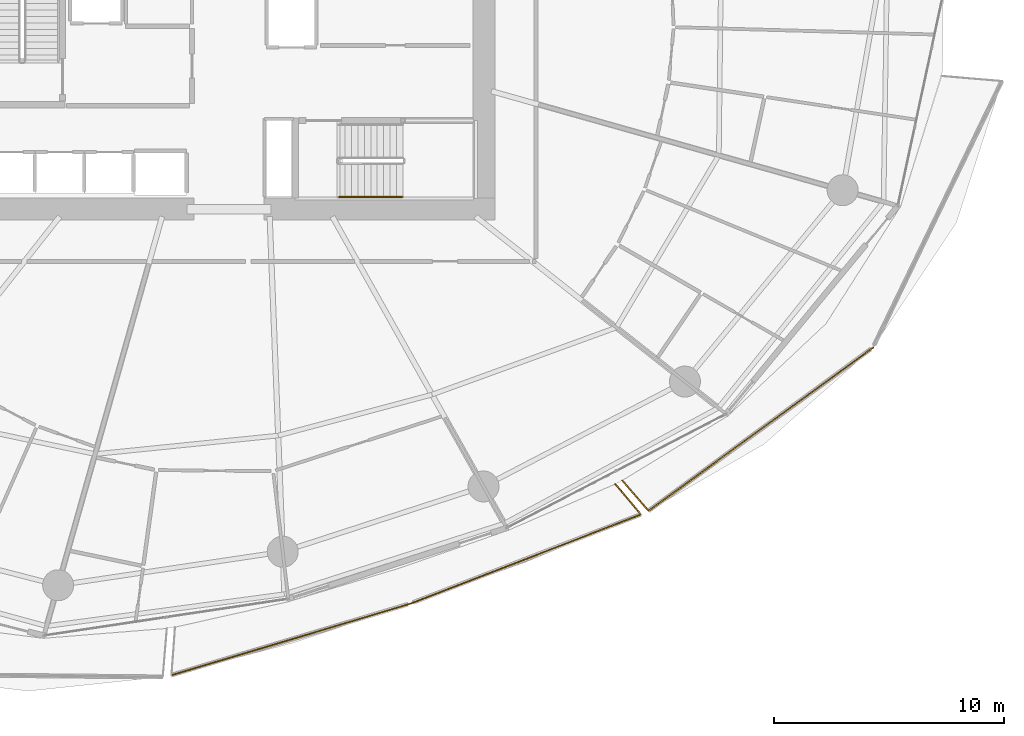
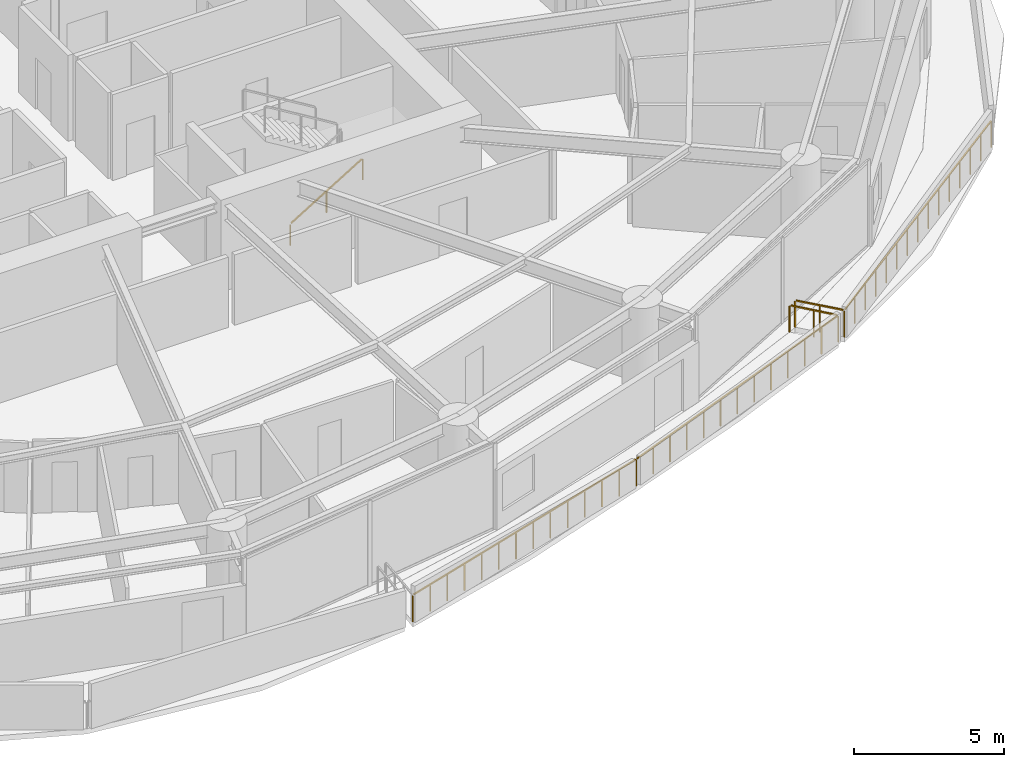
# One storey, part 26 of 30: 6 railings.
"""IFC4 building model written with IfcOpenShell, lengths in metres."""

from ifc_helpers import new_model, si_unit, direction, frame, origin, origin_2d, place, context, subcontext, project, spatial, rectangle, extrude, material, type_object, element, save


model = new_model("IFC4")

# Units and contexts
model_context = context("Model", 3, precision=1e-05, world=origin(), true_north=direction((0.0, 1.0)))
body_context = subcontext(model_context, "Body", "Model", "MODEL_VIEW")
ifc_project = project(units=[si_unit("LENGTHUNIT", "METRE"), si_unit("AREAUNIT", "SQUARE_METRE"), si_unit("VOLUMEUNIT", "CUBIC_METRE"), si_unit("PLANEANGLEUNIT", "RADIAN"), si_unit("MASSUNIT", "GRAM", prefix="KILO")], contexts=[model_context])

# Site, building, storey
site_placement = place(None, origin())
site = spatial("IfcSite", under=ifc_project, at=site_placement, CompositionType="ELEMENT")
building_placement = place(site_placement, origin())
building = spatial("IfcBuilding", under=site, at=building_placement, Name="Kazma Halo Residences", CompositionType="ELEMENT")
storey_placement = place(building_placement, frame((0.0, 0.0, 56.39990234375)))
storey = spatial("IfcBuildingStorey", under=building, at=storey_placement, Name="L13", CompositionType="ELEMENT", Elevation=56.39990234375)

# Railings
ifc_material_1 = material(Name="Aluminium AW-6063 T6 Brushed Cap Rail", Category="aluminium")
railing_type_1 = type_object("IfcRailingType", Name="RLG-BAL-CAP-1120", PredefinedType="BALUSTRADE", material=ifc_material_1)
railing_1_placement = place(storey_placement, frame((45.91259765625, 13.2294921875, 0.0)))
element("IfcRailing", 1, at=railing_1_placement, inside=storey, type_object=railing_type_1, Name="L13 SSE wave balcony guard 2", PredefinedType="BALUSTRADE", context=body_context, shape_type="SweptSolid", body=[
    extrude(rectangle(XDim=0.050048828125, YDim=0.050048828125, at=origin_2d()), frame((0.040771484375, 0.01220703125, 1.09521484375), z_axis=(0.957967000028, 0.286878418249, 0.0), x_axis=(-0.286878418249, 0.957967000028, 0.0)), (0.0, 0.0, 1.0), 10.79345703125),
    extrude(rectangle(XDim=0.0400390625, YDim=0.0400390625, at=origin_2d()), origin(), (0.0, 0.0, 1.0), 1.05810546875),
    extrude(rectangle(XDim=0.0400390625, YDim=0.0400390625, at=origin_2d()), frame((0.8017578125, 0.239990234375, 0.0)), (0.0, 0.0, 1.0), 1.05810546875),
    extrude(rectangle(XDim=0.0400390625, YDim=0.0400390625, at=origin_2d()), frame((1.603271484375, 0.480224609375, 0.0)), (0.0, 0.0, 1.0), 1.05810546875),
    extrude(rectangle(XDim=0.0400390625, YDim=0.0400390625, at=origin_2d()), frame((2.405029296875, 0.72021484375, 0.0)), (0.0, 0.0, 1.0), 1.05810546875),
    extrude(rectangle(XDim=0.0400390625, YDim=0.0400390625, at=origin_2d()), frame((3.20654296875, 0.960205078125, 0.0)), (0.0, 0.0, 1.0), 1.05810546875),
    extrude(rectangle(XDim=0.0400390625, YDim=0.0400390625, at=origin_2d()), frame((4.00830078125, 1.200439453125, 0.0)), (0.0, 0.0, 1.0), 1.05810546875),
    extrude(rectangle(XDim=0.0400390625, YDim=0.0400390625, at=origin_2d()), frame((4.809814453125, 1.4404296875, 0.0)), (0.0, 0.0, 1.0), 1.05810546875),
    extrude(rectangle(XDim=0.0400390625, YDim=0.0400390625, at=origin_2d()), frame((5.611572265625, 1.680419921875, 0.0)), (0.0, 0.0, 1.0), 1.05810546875),
    extrude(rectangle(XDim=0.0400390625, YDim=0.0400390625, at=origin_2d()), frame((6.4130859375, 1.92041015625, 0.0)), (0.0, 0.0, 1.0), 1.05810546875),
    extrude(rectangle(XDim=0.0400390625, YDim=0.0400390625, at=origin_2d()), frame((7.21484375, 2.16064453125, 0.0)), (0.0, 0.0, 1.0), 1.05810546875),
    extrude(rectangle(XDim=0.0400390625, YDim=0.0400390625, at=origin_2d()), frame((8.016357421875, 2.400634765625, 0.0)), (0.0, 0.0, 1.0), 1.05810546875),
    extrude(rectangle(XDim=0.0400390625, YDim=0.0400390625, at=origin_2d()), frame((8.818115234375, 2.640625, 0.0)), (0.0, 0.0, 1.0), 1.05810546875),
    extrude(rectangle(XDim=0.0400390625, YDim=0.0400390625, at=origin_2d()), frame((9.61962890625, 2.880859375, 0.0)), (0.0, 0.0, 1.0), 1.05810546875),
    extrude(rectangle(XDim=0.0400390625, YDim=0.0400390625, at=origin_2d()), frame((10.42138671875, 3.120849609375, 0.0)), (0.0, 0.0, 1.0), 1.05810546875),
])
railing_2_placement = place(storey_placement, frame((56.333984375, 16.350341796875, 0.0)))
element("IfcRailing", 2, at=railing_2_placement, inside=storey, type_object=railing_type_1, Name="L13 SSE wave balcony guard 3", PredefinedType="BALUSTRADE", context=body_context, shape_type="SweptSolid", body=[
    extrude(rectangle(XDim=0.050048828125, YDim=0.050048828125, at=origin_2d()), frame((0.039794921875, 0.015380859375, 1.09521484375), z_axis=(0.932666427368, 0.360739982897, 0.0), x_axis=(-0.360739982897, 0.932666427368, 0.0)), (0.0, 0.0, 1.0), 10.669677734375),
    extrude(rectangle(XDim=0.0400390625, YDim=0.0400390625, at=origin_2d()), origin(), (0.0, 0.0, 1.0), 1.05810546875),
    extrude(rectangle(XDim=0.0400390625, YDim=0.0400390625, at=origin_2d()), frame((0.8359375, 0.3232421875, 0.0)), (0.0, 0.0, 1.0), 1.05810546875),
    extrude(rectangle(XDim=0.0400390625, YDim=0.0400390625, at=origin_2d()), frame((1.671875, 0.646484375, 0.0)), (0.0, 0.0, 1.0), 1.05810546875),
    extrude(rectangle(XDim=0.0400390625, YDim=0.0400390625, at=origin_2d()), frame((2.507568359375, 0.969970703125, 0.0)), (0.0, 0.0, 1.0), 1.05810546875),
    extrude(rectangle(XDim=0.0400390625, YDim=0.0400390625, at=origin_2d()), frame((3.343505859375, 1.293212890625, 0.0)), (0.0, 0.0, 1.0), 1.05810546875),
    extrude(rectangle(XDim=0.0400390625, YDim=0.0400390625, at=origin_2d()), frame((4.179443359375, 1.616455078125, 0.0)), (0.0, 0.0, 1.0), 1.05810546875),
    extrude(rectangle(XDim=0.0400390625, YDim=0.0400390625, at=origin_2d()), frame((5.01513671875, 1.93994140625, 0.0)), (0.0, 0.0, 1.0), 1.05810546875),
    extrude(rectangle(XDim=0.0400390625, YDim=0.0400390625, at=origin_2d()), frame((5.85107421875, 2.26318359375, 0.0)), (0.0, 0.0, 1.0), 1.05810546875),
    extrude(rectangle(XDim=0.0400390625, YDim=0.0400390625, at=origin_2d()), frame((6.68701171875, 2.58642578125, 0.0)), (0.0, 0.0, 1.0), 1.05810546875),
    extrude(rectangle(XDim=0.0400390625, YDim=0.0400390625, at=origin_2d()), frame((7.52294921875, 2.90966796875, 0.0)), (0.0, 0.0, 1.0), 1.05810546875),
    extrude(rectangle(XDim=0.0400390625, YDim=0.0400390625, at=origin_2d()), frame((8.35888671875, 3.23291015625, 0.0)), (0.0, 0.0, 1.0), 1.05810546875),
    extrude(rectangle(XDim=0.0400390625, YDim=0.0400390625, at=origin_2d()), frame((9.194580078125, 3.556396484375, 0.0)), (0.0, 0.0, 1.0), 1.05810546875),
    extrude(rectangle(XDim=0.0400390625, YDim=0.0400390625, at=origin_2d()), frame((10.030517578125, 3.879638671875, 0.0)), (0.0, 0.0, 1.0), 1.05810546875),
])
railing_3_placement = place(storey_placement, frame((66.364501953125, 20.22998046875, 0.0)))
element("IfcRailing", 3, at=railing_3_placement, inside=storey, type_object=railing_type_1, Name="L13 SSE wave balcony guard 4", PredefinedType="BALUSTRADE", context=body_context, shape_type="SweptSolid", body=[
    extrude(rectangle(XDim=0.050048828125, YDim=0.050048828125, at=origin_2d()), frame((-0.02734375, 0.032470703125, 1.09521484375), z_axis=(-0.64477825688, 0.764369674604, 0.0), x_axis=(-0.764369674604, -0.64477825688, 0.0)), (0.0, 0.0, 1.0), 1.64599609375),
    extrude(rectangle(XDim=0.0400390625, YDim=0.0400390625, at=origin_2d()), origin(), (0.0, 0.0, 1.0), 1.05810546875),
    extrude(rectangle(XDim=0.0400390625, YDim=0.0400390625, at=origin_2d()), frame((-0.55810546875, 0.66162109375, 0.0)), (0.0, 0.0, 1.0), 1.05810546875),
    extrude(rectangle(XDim=0.0400390625, YDim=0.0400390625, at=origin_2d()), frame((-1.1162109375, 1.3232421875, 0.0)), (0.0, 0.0, 1.0), 1.05810546875),
])
railing_4_placement = place(storey_placement, frame((65.546142578125, 21.70849609375, 0.0)))
element("IfcRailing", 4, at=railing_4_placement, inside=storey, type_object=railing_type_1, Name="L13 SE wave balcony guard 1", PredefinedType="BALUSTRADE", context=body_context, shape_type="SweptSolid", body=[
    extrude(rectangle(XDim=0.050048828125, YDim=0.050048828125, at=origin_2d()), frame((0.02783203125, -0.0322265625, 1.09521484375), z_axis=(0.654048383375, -0.756452716437, 0.0), x_axis=(0.756452716437, 0.654048383375, 0.0)), (0.0, 0.0, 1.0), 1.664794921875),
    extrude(rectangle(XDim=0.0400390625, YDim=0.0400390625, at=origin_2d()), origin(), (0.0, 0.0, 1.0), 1.05810546875),
    extrude(rectangle(XDim=0.0400390625, YDim=0.0400390625, at=origin_2d()), frame((0.572265625, -0.661865234375, 0.0)), (0.0, 0.0, 1.0), 1.05810546875),
    extrude(rectangle(XDim=0.0400390625, YDim=0.0400390625, at=origin_2d()), frame((1.14453125, -1.32373046875, 0.0)), (0.0, 0.0, 1.0), 1.05810546875),
])
railing_5_placement = place(storey_placement, frame((66.690673828125, 20.384765625, 0.0)))
element("IfcRailing", 5, at=railing_5_placement, inside=storey, type_object=railing_type_1, Name="L13 SE wave balcony guard 2", PredefinedType="BALUSTRADE", context=body_context, shape_type="SweptSolid", body=[
    extrude(rectangle(XDim=0.050048828125, YDim=0.050048828125, at=origin_2d()), frame((0.034423828125, 0.02490234375, 1.09521484375), z_axis=(0.808699402837, 0.588222131385, 0.0), x_axis=(-0.588222131385, 0.808699402837, 0.0)), (0.0, 0.0, 1.0), 12.003662109375),
    extrude(rectangle(XDim=0.0400390625, YDim=0.0400390625, at=origin_2d()), origin(), (0.0, 0.0, 1.0), 1.05810546875),
    extrude(rectangle(XDim=0.0400390625, YDim=0.0400390625, at=origin_2d()), frame((0.6982421875, 0.5078125, 0.0)), (0.0, 0.0, 1.0), 1.05810546875),
    extrude(rectangle(XDim=0.0400390625, YDim=0.0400390625, at=origin_2d()), frame((1.396484375, 1.015869140625, 0.0)), (0.0, 0.0, 1.0), 1.05810546875),
    extrude(rectangle(XDim=0.0400390625, YDim=0.0400390625, at=origin_2d()), frame((2.094970703125, 1.523681640625, 0.0)), (0.0, 0.0, 1.0), 1.05810546875),
    extrude(rectangle(XDim=0.0400390625, YDim=0.0400390625, at=origin_2d()), frame((2.793212890625, 2.03173828125, 0.0)), (0.0, 0.0, 1.0), 1.05810546875),
    extrude(rectangle(XDim=0.0400390625, YDim=0.0400390625, at=origin_2d()), frame((3.491455078125, 2.53955078125, 0.0)), (0.0, 0.0, 1.0), 1.05810546875),
    extrude(rectangle(XDim=0.0400390625, YDim=0.0400390625, at=origin_2d()), frame((4.189697265625, 3.047607421875, 0.0)), (0.0, 0.0, 1.0), 1.05810546875),
    extrude(rectangle(XDim=0.0400390625, YDim=0.0400390625, at=origin_2d()), frame((4.88818359375, 3.555419921875, 0.0)), (0.0, 0.0, 1.0), 1.05810546875),
    extrude(rectangle(XDim=0.0400390625, YDim=0.0400390625, at=origin_2d()), frame((5.58642578125, 4.063232421875, 0.0)), (0.0, 0.0, 1.0), 1.05810546875),
    extrude(rectangle(XDim=0.0400390625, YDim=0.0400390625, at=origin_2d()), frame((6.28466796875, 4.5712890625, 0.0)), (0.0, 0.0, 1.0), 1.05810546875),
    extrude(rectangle(XDim=0.0400390625, YDim=0.0400390625, at=origin_2d()), frame((6.98291015625, 5.0791015625, 0.0)), (0.0, 0.0, 1.0), 1.05810546875),
    extrude(rectangle(XDim=0.0400390625, YDim=0.0400390625, at=origin_2d()), frame((7.68115234375, 5.587158203125, 0.0)), (0.0, 0.0, 1.0), 1.05810546875),
    extrude(rectangle(XDim=0.0400390625, YDim=0.0400390625, at=origin_2d()), frame((8.379638671875, 6.094970703125, 0.0)), (0.0, 0.0, 1.0), 1.05810546875),
    extrude(rectangle(XDim=0.0400390625, YDim=0.0400390625, at=origin_2d()), frame((9.077880859375, 6.60302734375, 0.0)), (0.0, 0.0, 1.0), 1.05810546875),
    extrude(rectangle(XDim=0.0400390625, YDim=0.0400390625, at=origin_2d()), frame((9.776123046875, 7.11083984375, 0.0)), (0.0, 0.0, 1.0), 1.05810546875),
])
ifc_material_2 = material(Name="Brushed Stainless Steel", Category="steel")
railing_type_2 = type_object("IfcRailingType", Name="RLG-STAIR-HND-900", PredefinedType="HANDRAIL", material=ifc_material_2)
railing_6_placement = place(storey_placement, frame((53.199951171875, 34.050048828125, 0.170654296875)))
element("IfcRailing", 6, at=railing_6_placement, inside=storey, type_object=railing_type_2, Name="L13 ST-03 stair handrail 1", PredefinedType="HANDRAIL", context=body_context, shape_type="SweptSolid", body=[
    extrude(rectangle(XDim=0.050048828125, YDim=0.050048828125, at=origin_2d()), frame((0.036376953125, 0.0, 0.89697265625), z_axis=(0.854202870247, 0.0, 0.519939858505), x_axis=(0.0, 1.0, 0.0)), (0.0, 0.0, 1.0), 3.19287109375),
    extrude(rectangle(XDim=0.0400390625, YDim=0.0400390625, at=origin_2d()), origin(), (0.0, 0.0, 1.0), 0.837890625),
    extrude(rectangle(XDim=0.0400390625, YDim=0.0400390625, at=origin_2d()), frame((1.39990234375, 0.0, 0.85205078125)), (0.0, 0.0, 1.0), 0.837890625),
    extrude(rectangle(XDim=0.0400390625, YDim=0.0400390625, at=origin_2d()), frame((2.800048828125, 0.0, 1.704345703125)), (0.0, 0.0, 1.0), 0.837890625),
])

save(model, "model.ifc")
